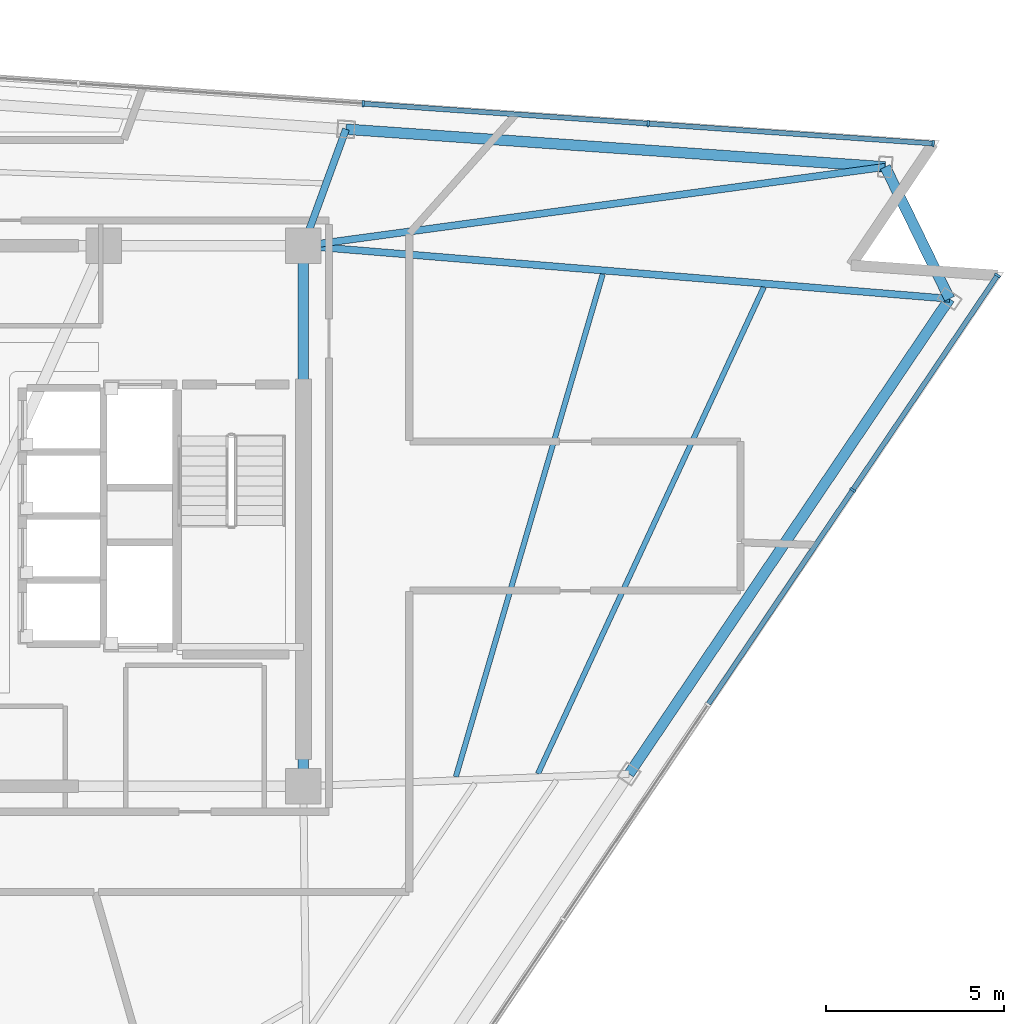
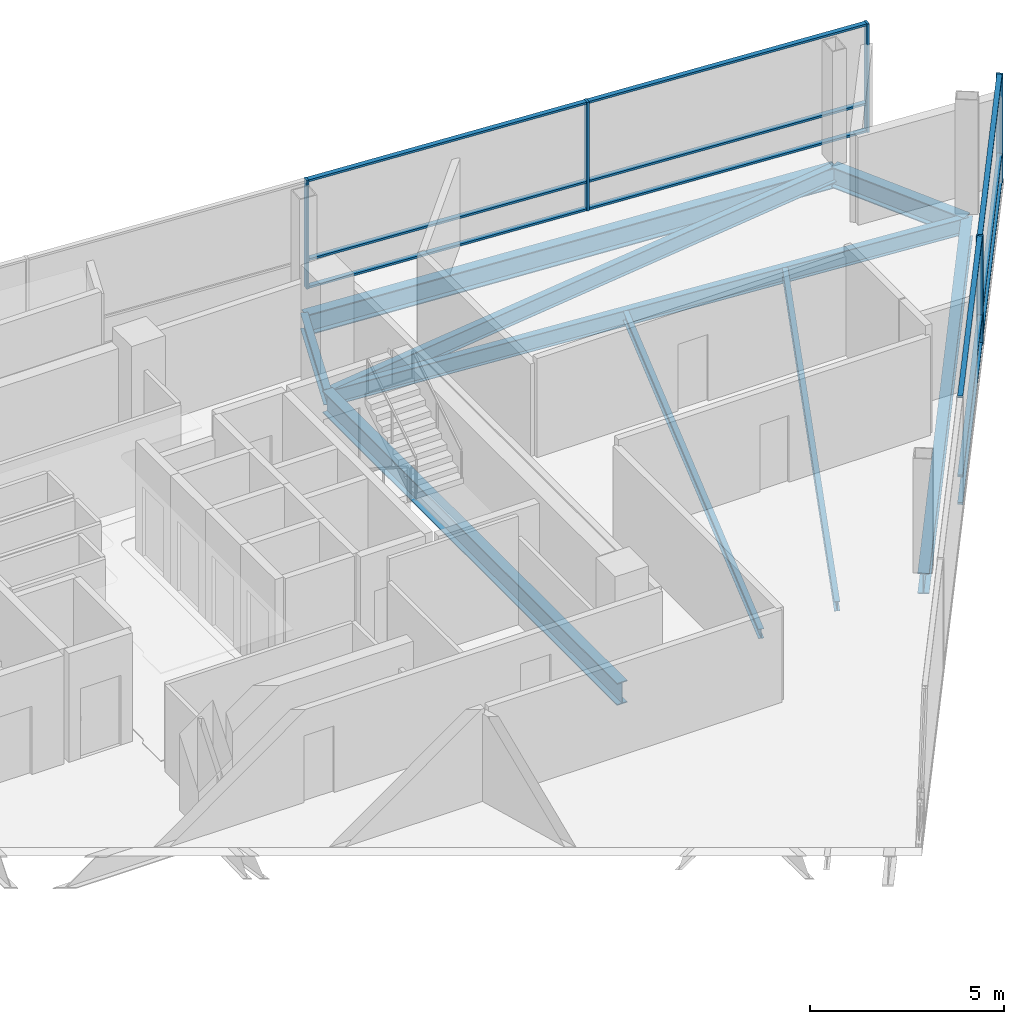
# One storey, part 7 of 14: 17 members, 9 beams, 2 elements without a shape of their own.
"""IFC4 building model written with IfcOpenShell, lengths in metres."""

from ifc_helpers import new_model, si_unit, direction, frame, origin, origin_2d, place, context, subcontext, project, spatial, rectangle, i_section, extrude, material, layer, layer_set, material_profile, profile_set, type_object, element, aggregate, save


model = new_model("IFC4")

# Units and contexts
model_context = context("Model", 3, precision=1e-05, world=origin(), true_north=direction((0.0, 1.0)))
body_context = subcontext(model_context, "Body", "Model", "MODEL_VIEW")
ifc_project = project(units=[si_unit("LENGTHUNIT", "METRE"), si_unit("AREAUNIT", "SQUARE_METRE"), si_unit("VOLUMEUNIT", "CUBIC_METRE"), si_unit("PLANEANGLEUNIT", "RADIAN"), si_unit("MASSUNIT", "GRAM", prefix="KILO")], contexts=[model_context])

# Site, building, storey
site_placement = place(None, origin())
site = spatial("IfcSite", under=ifc_project, at=site_placement, CompositionType="ELEMENT")
building_placement = place(site_placement, origin())
building = spatial("IfcBuilding", under=site, at=building_placement, Name="Tharavind Bronze Gate", CompositionType="ELEMENT")
storey_placement = place(building_placement, frame((0.0, 0.0, 230.64990234375)))
storey = spatial("IfcBuildingStorey", under=building, at=storey_placement, Name="L59", CompositionType="ELEMENT", Elevation=230.64990234375)

# Curtain wall, members
ifc_material_1 = material(Name="Anodised Bronze Aluminium", Category="aluminium")
ifc_layer = layer(ifc_material_1, 0.219970703125)
ifc_layer_set = layer_set([ifc_layer], Name="Anodised Bronze Aluminium")
curtain_wall_type = type_object("IfcCurtainWallType", Name="UNITISED CURTAIN WALL UPPER OFFICE", PredefinedType="USERDEFINED", material=ifc_layer_set)
curtain_wall_1_placement = place(storey_placement, origin())
curtain_wall_1 = element("IfcCurtainWall", 1, at=curtain_wall_1_placement, inside=storey, type_object=curtain_wall_type, Name="L59 unitised curtain wall upper office CW-L59-S2", ObjectType="UNITISED CURTAIN WALL", PredefinedType="USERDEFINED")
member_type_1 = type_object("IfcMemberType", Name="CURTAIN WALL BRONZE MULLION 65X180", PredefinedType="MULLION", material=ifc_material_1)
member_1_placement = place(storey_placement, frame((24.35791015625, 0.732177734375, 0.000244140625), z_axis=(0.0, 0.0, 1.0), x_axis=(0.559192903471, 0.829037572555, 0.0)))
member_1 = element("IfcMember", 2, at=member_1_placement, type_object=member_type_1, Name="CW-L59-S2 mullion 7", PredefinedType="MULLION", context=body_context, shape_type="SweptSolid", body=[
    extrude(rectangle(XDim=0.06494140625, YDim=0.179931640625, at=origin_2d()), origin(), (0.0, 0.0, 1.0), 3.419921875),
])
member_2_placement = place(storey_placement, frame((28.430419921875, 6.77001953125, 0.000244140625), z_axis=(0.0, 0.0, 1.0), x_axis=(0.559192903471, 0.829037572555, 0.0)))
member_2 = element("IfcMember", 3, at=member_2_placement, type_object=member_type_1, Name="CW-L59-S2 mullion 8", PredefinedType="MULLION", context=body_context, shape_type="SweptSolid", body=[
    extrude(rectangle(XDim=0.06494140625, YDim=0.179931640625, at=origin_2d()), origin(), (0.0, 0.0, 1.0), 3.419921875),
])

curtain_wall_2_placement = place(storey_placement, origin())
curtain_wall_2 = element("IfcCurtainWall", 4, at=curtain_wall_2_placement, inside=storey, type_object=curtain_wall_type, Name="L59 unitised curtain wall upper office CW-L59-S3", ObjectType="UNITISED CURTAIN WALL", PredefinedType="USERDEFINED")
member_3_placement = place(storey_placement, frame((26.620849609375, 10.480224609375, 0.000244140625), z_axis=(0.0, 0.0, 1.0), x_axis=(-0.99756392851, 0.069758214822, 0.0)))
member_3 = element("IfcMember", 5, at=member_3_placement, type_object=member_type_1, Name="CW-L59-S3 mullion 1", PredefinedType="MULLION", context=body_context, shape_type="SweptSolid", body=[
    extrude(rectangle(XDim=0.06494140625, YDim=0.179931640625, at=origin_2d()), origin(), (0.0, 0.0, 1.0), 3.419921875),
])
member_4_placement = place(storey_placement, frame((18.602294921875, 11.041015625, 0.000244140625), z_axis=(0.0, 0.0, 1.0), x_axis=(-0.99756392851, 0.069758214822, 0.0)))
member_4 = element("IfcMember", 6, at=member_4_placement, type_object=member_type_1, Name="CW-L59-S3 mullion 2", PredefinedType="MULLION", context=body_context, shape_type="SweptSolid", body=[
    extrude(rectangle(XDim=0.06494140625, YDim=0.179931640625, at=origin_2d()), origin(), (0.0, 0.0, 1.0), 3.419921875),
])
member_5_placement = place(storey_placement, frame((10.583984375, 11.6015625, 0.000244140625), z_axis=(0.0, 0.0, 1.0), x_axis=(-0.99756392851, 0.069758214822, 0.0)))
member_5 = element("IfcMember", 7, at=member_5_placement, type_object=member_type_1, Name="CW-L59-S3 mullion 3", PredefinedType="MULLION", context=body_context, shape_type="SweptSolid", body=[
    extrude(rectangle(XDim=0.06494140625, YDim=0.179931640625, at=origin_2d()), origin(), (0.0, 0.0, 1.0), 3.419921875),
])

# Member
member_type_2 = type_object("IfcMemberType", Name="CURTAIN WALL BRONZE TRANSOM 65X140", PredefinedType="USERDEFINED", material=ifc_material_1)
member_6_placement = place(storey_placement, frame((22.321533203125, -2.28662109375, 0.000244140625), z_axis=(0.0, 0.0, 1.0), x_axis=(0.559192903471, 0.829037572555, 0.0)))
member_6 = element("IfcMember", 8, at=member_6_placement, type_object=member_type_2, Name="CW-L59-S2 transom TB6", ObjectType="TRANSOM", PredefinedType="USERDEFINED", context=body_context, shape_type="SweptSolid", body=[
    extrude(rectangle(XDim=7.22998046875, YDim=0.139892578125, at=origin_2d()), origin(), (0.0, 0.0, 1.0), 0.06494140625),
])

member_7_placement = place(storey_placement, frame((22.321533203125, -2.28662109375, 0.86767578125), z_axis=(0.0, 0.0, 1.0), x_axis=(0.559192903471, 0.829037572555, 0.0)))
member_7 = element("IfcMember", 9, at=member_7_placement, type_object=member_type_2, Name="CW-L59-S2 transom TS6", ObjectType="TRANSOM", PredefinedType="USERDEFINED", context=body_context, shape_type="SweptSolid", body=[
    extrude(rectangle(XDim=7.22998046875, YDim=0.139892578125, at=origin_2d()), origin(), (0.0, 0.0, 1.0), 0.06494140625),
])

member_8_placement = place(storey_placement, frame((22.321533203125, -2.28662109375, 3.355224609375), z_axis=(0.0, 0.0, 1.0), x_axis=(0.559192903471, 0.829037572555, 0.0)))
member_8 = element("IfcMember", 10, at=member_8_placement, type_object=member_type_2, Name="CW-L59-S2 transom TT6", ObjectType="TRANSOM", PredefinedType="USERDEFINED", context=body_context, shape_type="SweptSolid", body=[
    extrude(rectangle(XDim=7.22998046875, YDim=0.139892578125, at=origin_2d()), origin(), (0.0, 0.0, 1.0), 0.06494140625),
])

member_9_placement = place(storey_placement, frame((26.39404296875, 3.751220703125, 0.000244140625), z_axis=(0.0, 0.0, 1.0), x_axis=(0.559192903471, 0.829037572555, 0.0)))
member_9 = element("IfcMember", 11, at=member_9_placement, type_object=member_type_2, Name="CW-L59-S2 transom TB7", ObjectType="TRANSOM", PredefinedType="USERDEFINED", context=body_context, shape_type="SweptSolid", body=[
    extrude(rectangle(XDim=7.22998046875, YDim=0.139892578125, at=origin_2d()), origin(), (0.0, 0.0, 1.0), 0.06494140625),
])

member_10_placement = place(storey_placement, frame((26.39404296875, 3.751220703125, 0.86767578125), z_axis=(0.0, 0.0, 1.0), x_axis=(0.559192903471, 0.829037572555, 0.0)))
member_10 = element("IfcMember", 12, at=member_10_placement, type_object=member_type_2, Name="CW-L59-S2 transom TS7", ObjectType="TRANSOM", PredefinedType="USERDEFINED", context=body_context, shape_type="SweptSolid", body=[
    extrude(rectangle(XDim=7.22998046875, YDim=0.139892578125, at=origin_2d()), origin(), (0.0, 0.0, 1.0), 0.06494140625),
])

member_11_placement = place(storey_placement, frame((26.39404296875, 3.751220703125, 3.355224609375), z_axis=(0.0, 0.0, 1.0), x_axis=(0.559192903471, 0.829037572555, 0.0)))
member_11 = element("IfcMember", 13, at=member_11_placement, type_object=member_type_2, Name="CW-L59-S2 transom TT7", ObjectType="TRANSOM", PredefinedType="USERDEFINED", context=body_context, shape_type="SweptSolid", body=[
    extrude(rectangle(XDim=7.22998046875, YDim=0.139892578125, at=origin_2d()), origin(), (0.0, 0.0, 1.0), 0.06494140625),
])

aggregate(curtain_wall_1, [member_1, member_2, member_6, member_7, member_8, member_9, member_10, member_11])

member_12_placement = place(storey_placement, frame((22.611572265625, 10.760498046875, 0.000244140625), z_axis=(0.0, 0.0, 1.0), x_axis=(-0.99756392851, 0.069758214822, 0.0)))
member_12 = element("IfcMember", 14, at=member_12_placement, type_object=member_type_2, Name="CW-L59-S3 transom TB1", ObjectType="TRANSOM", PredefinedType="USERDEFINED", context=body_context, shape_type="SweptSolid", body=[
    extrude(rectangle(XDim=7.985107421875, YDim=0.139892578125, at=origin_2d()), origin(), (0.0, 0.0, 1.0), 0.06494140625),
])

member_13_placement = place(storey_placement, frame((22.611572265625, 10.760498046875, 0.86767578125), z_axis=(0.0, 0.0, 1.0), x_axis=(-0.99756392851, 0.069758214822, 0.0)))
member_13 = element("IfcMember", 15, at=member_13_placement, type_object=member_type_2, Name="CW-L59-S3 transom TS1", ObjectType="TRANSOM", PredefinedType="USERDEFINED", context=body_context, shape_type="SweptSolid", body=[
    extrude(rectangle(XDim=7.985107421875, YDim=0.139892578125, at=origin_2d()), origin(), (0.0, 0.0, 1.0), 0.06494140625),
])

member_14_placement = place(storey_placement, frame((22.611572265625, 10.760498046875, 3.355224609375), z_axis=(0.0, 0.0, 1.0), x_axis=(-0.99756392851, 0.069758214822, 0.0)))
member_14 = element("IfcMember", 16, at=member_14_placement, type_object=member_type_2, Name="CW-L59-S3 transom TT1", ObjectType="TRANSOM", PredefinedType="USERDEFINED", context=body_context, shape_type="SweptSolid", body=[
    extrude(rectangle(XDim=7.985107421875, YDim=0.139892578125, at=origin_2d()), origin(), (0.0, 0.0, 1.0), 0.06494140625),
])

member_15_placement = place(storey_placement, frame((14.593017578125, 11.3212890625, 0.000244140625), z_axis=(0.0, 0.0, 1.0), x_axis=(-0.99756392851, 0.069758214822, 0.0)))
member_15 = element("IfcMember", 17, at=member_15_placement, type_object=member_type_2, Name="CW-L59-S3 transom TB2", ObjectType="TRANSOM", PredefinedType="USERDEFINED", context=body_context, shape_type="SweptSolid", body=[
    extrude(rectangle(XDim=7.985107421875, YDim=0.139892578125, at=origin_2d()), origin(), (0.0, 0.0, 1.0), 0.06494140625),
])

member_16_placement = place(storey_placement, frame((14.593017578125, 11.3212890625, 0.86767578125), z_axis=(0.0, 0.0, 1.0), x_axis=(-0.99756392851, 0.069758214822, 0.0)))
member_16 = element("IfcMember", 18, at=member_16_placement, type_object=member_type_2, Name="CW-L59-S3 transom TS2", ObjectType="TRANSOM", PredefinedType="USERDEFINED", context=body_context, shape_type="SweptSolid", body=[
    extrude(rectangle(XDim=7.985107421875, YDim=0.139892578125, at=origin_2d()), origin(), (0.0, 0.0, 1.0), 0.06494140625),
])

member_17_placement = place(storey_placement, frame((14.593017578125, 11.3212890625, 3.355224609375), z_axis=(0.0, 0.0, 1.0), x_axis=(-0.99756392851, 0.069758214822, 0.0)))
member_17 = element("IfcMember", 19, at=member_17_placement, type_object=member_type_2, Name="CW-L59-S3 transom TT2", ObjectType="TRANSOM", PredefinedType="USERDEFINED", context=body_context, shape_type="SweptSolid", body=[
    extrude(rectangle(XDim=7.985107421875, YDim=0.139892578125, at=origin_2d()), origin(), (0.0, 0.0, 1.0), 0.06494140625),
])

aggregate(curtain_wall_2, [member_3, member_4, member_5, member_12, member_13, member_14, member_15, member_16, member_17])

# Beams
ifc_material_2 = material(Name="Steel S355", Category="steel")
ifc_material_profile_1 = material_profile(ifc_material_2, i_section(OverallWidth=0.300048828125, OverallDepth=0.64990234375, WebThickness=0.01611328125, FlangeThickness=0.031005859375, at=origin_2d()), Name="HE650B")
ifc_profile_set_1 = profile_set([ifc_material_profile_1], Name="Steel S355")
beam_type_1 = type_object("IfcBeamType", Name="PRIMARY GIRDER HE650B", PredefinedType="USERDEFINED", material=ifc_profile_set_1)
beam_1_placement = place(storey_placement, frame((18.06396484375, -7.2578125, -0.5048828125), z_axis=(0.559188128577, 0.829040793241, 0.0), x_axis=(-0.829040793241, 0.559188128577, 0.0)))
element("IfcBeam", 20, at=beam_1_placement, inside=storey, type_object=beam_type_1, Name="L59 primary girder he650b BM-L59-PRG07", ObjectType="GIRDER", PredefinedType="USERDEFINED", context=body_context, shape_type="SweptSolid", body=[
    extrude(i_section(OverallWidth=0.300048828125, OverallDepth=0.64990234375, WebThickness=0.01611328125, FlangeThickness=0.031005859375, at=origin_2d()), origin(), (0.0, 0.0, 1.0), 16.12744140625),
])
beam_2_placement = place(storey_placement, frame((27.082275390625, 6.112548828125, -0.5048828125), z_axis=(-0.438367699713, 0.898795727542, 0.0), x_axis=(-0.898795727542, -0.438367699713, 0.0)))
element("IfcBeam", 21, at=beam_2_placement, inside=storey, type_object=beam_type_1, Name="L59 primary girder he650b BM-L59-PRG08", ObjectType="GIRDER", PredefinedType="USERDEFINED", context=body_context, shape_type="SweptSolid", body=[
    extrude(i_section(OverallWidth=0.300048828125, OverallDepth=0.64990234375, WebThickness=0.01611328125, FlangeThickness=0.031005859375, at=origin_2d()), origin(), (0.0, 0.0, 1.0), 4.1279296875),
])
beam_3_placement = place(storey_placement, frame((25.272705078125, 9.82275390625, -0.5048828125), z_axis=(-0.997563917828, 0.069758367582, 0.0), x_axis=(-0.069758367582, -0.997563917828, 0.0)))
element("IfcBeam", 22, at=beam_3_placement, inside=storey, type_object=beam_type_1, Name="L59 primary girder he650b BM-L59-PRG09", ObjectType="GIRDER", PredefinedType="USERDEFINED", context=body_context, shape_type="SweptSolid", body=[
    extrude(i_section(OverallWidth=0.300048828125, OverallDepth=0.64990234375, WebThickness=0.01611328125, FlangeThickness=0.031005859375, at=origin_2d()), origin(), (0.0, 0.0, 1.0), 15.210205078125),
])
ifc_material_profile_2 = material_profile(ifc_material_2, i_section(OverallWidth=0.199951171875, OverallDepth=0.5, WebThickness=0.01025390625, FlangeThickness=0.01611328125, at=origin_2d()), Name="IPE500")
ifc_profile_set_2 = profile_set([ifc_material_profile_2], Name="Steel S355")
beam_type_2 = type_object("IfcBeamType", Name="PRIMARY GIRDER IPE500", PredefinedType="USERDEFINED", material=ifc_profile_set_2)
beam_4_placement = place(storey_placement, frame((27.082275390625, 6.112548828125, -0.429931640625), z_axis=(-0.996670048992, 0.081540256576, 0.0), x_axis=(-0.081540256576, -0.996670048992, 0.0)))
element("IfcBeam", 23, at=beam_4_placement, inside=storey, type_object=beam_type_2, Name="L59 primary girder ipe500 BM-L59-RAD08", ObjectType="GIRDER", PredefinedType="USERDEFINED", context=body_context, shape_type="SweptSolid", body=[
    extrude(i_section(OverallWidth=0.199951171875, OverallDepth=0.5, WebThickness=0.01025390625, FlangeThickness=0.01611328125, at=origin_2d()), origin(), (0.0, 0.0, 1.0), 18.2431640625),
])
beam_5_placement = place(storey_placement, frame((25.272705078125, 9.82275390625, -0.429931640625), z_axis=(-0.990911002209, -0.134519090469, 0.0), x_axis=(0.134519090469, -0.990911002209, 0.0)))
element("IfcBeam", 24, at=beam_5_placement, inside=storey, type_object=beam_type_2, Name="L59 primary girder ipe500 BM-L59-RAD09", ObjectType="GIRDER", PredefinedType="USERDEFINED", context=body_context, shape_type="SweptSolid", body=[
    extrude(i_section(OverallWidth=0.199951171875, OverallDepth=0.5, WebThickness=0.01025390625, FlangeThickness=0.01611328125, at=origin_2d()), origin(), (0.0, 0.0, 1.0), 16.52294921875),
])
beam_6_placement = place(storey_placement, frame((10.099609375, 10.8837890625, -0.429931640625), z_axis=(-0.343166887309, -0.939274447355, 0.0), x_axis=(0.939274447355, -0.343166887309, 0.0)))
element("IfcBeam", 25, at=beam_6_placement, inside=storey, type_object=beam_type_2, Name="L59 primary girder ipe500 BM-L59-RAD10", ObjectType="GIRDER", PredefinedType="USERDEFINED", context=body_context, shape_type="SweptSolid", body=[
    extrude(i_section(OverallWidth=0.199951171875, OverallDepth=0.5, WebThickness=0.01025390625, FlangeThickness=0.01611328125, at=origin_2d()), origin(), (0.0, 0.0, 1.0), 3.49609375),
])
ifc_material_profile_3 = material_profile(ifc_material_2, i_section(OverallWidth=0.300048828125, OverallDepth=0.699951171875, WebThickness=0.01708984375, FlangeThickness=0.031982421875, at=origin_2d()), Name="HE700B")
ifc_profile_set_3 = profile_set([ifc_material_profile_3], Name="Steel S355")
beam_type_3 = type_object("IfcBeamType", Name="RING GIRDER HE700B", PredefinedType="USERDEFINED", material=ifc_profile_set_3)
beam_7_placement = place(storey_placement, frame((8.89990234375, -7.60009765625, -0.52978515625), z_axis=(0.0, 1.0, 0.0), x_axis=(-1.0, 0.0, 0.0)))
element("IfcBeam", 26, at=beam_7_placement, inside=storey, type_object=beam_type_3, Name="L59 ring girder he700b BM-L59-CR3", ObjectType="GIRDER", PredefinedType="USERDEFINED", context=body_context, shape_type="SweptSolid", body=[
    extrude(i_section(OverallWidth=0.300048828125, OverallDepth=0.699951171875, WebThickness=0.01708984375, FlangeThickness=0.031982421875, at=origin_2d()), origin(), (0.0, 0.0, 1.0), 15.2001953125),
])
ifc_material_profile_4 = material_profile(ifc_material_2, i_section(OverallWidth=0.14990234375, OverallDepth=0.300048828125, WebThickness=0.007080078125, FlangeThickness=0.0107421875, at=origin_2d()), Name="IPE300")
ifc_profile_set_4 = profile_set([ifc_material_profile_4], Name="Steel S355")
beam_type_4 = type_object("IfcBeamType", Name="SECONDARY FLOOR JOIST IPE300", PredefinedType="JOIST", material=ifc_profile_set_4)
beam_8_placement = place(storey_placement, frame((13.19189453125, -7.335693359375, -0.329833984375), z_axis=(0.280517905759, 0.959848792544, 0.0), x_axis=(-0.959848792544, 0.280517905759, 0.0)))
element("IfcBeam", 27, at=beam_8_placement, inside=storey, type_object=beam_type_4, Name="L59 secondary floor joist ipe300 BM-L59-JSTA07", PredefinedType="JOIST", context=body_context, shape_type="SweptSolid", body=[
    extrude(i_section(OverallWidth=0.14990234375, OverallDepth=0.300048828125, WebThickness=0.007080078125, FlangeThickness=0.0107421875, at=origin_2d()), origin(), (0.0, 0.0, 1.0), 14.733642578125),
])
beam_9_placement = place(storey_placement, frame((15.501220703125, -7.249755859375, -0.329833984375), z_axis=(0.42102525581, 0.907048914872, 0.0), x_axis=(-0.907048914872, 0.42102525581, 0.0)))
element("IfcBeam", 28, at=beam_9_placement, inside=storey, type_object=beam_type_4, Name="L59 secondary floor joist ipe300 BM-L59-JSTB07", PredefinedType="JOIST", context=body_context, shape_type="SweptSolid", body=[
    extrude(i_section(OverallWidth=0.14990234375, OverallDepth=0.300048828125, WebThickness=0.007080078125, FlangeThickness=0.0107421875, at=origin_2d()), origin(), (0.0, 0.0, 1.0), 15.08837890625),
])

save(model, "model.ifc")
